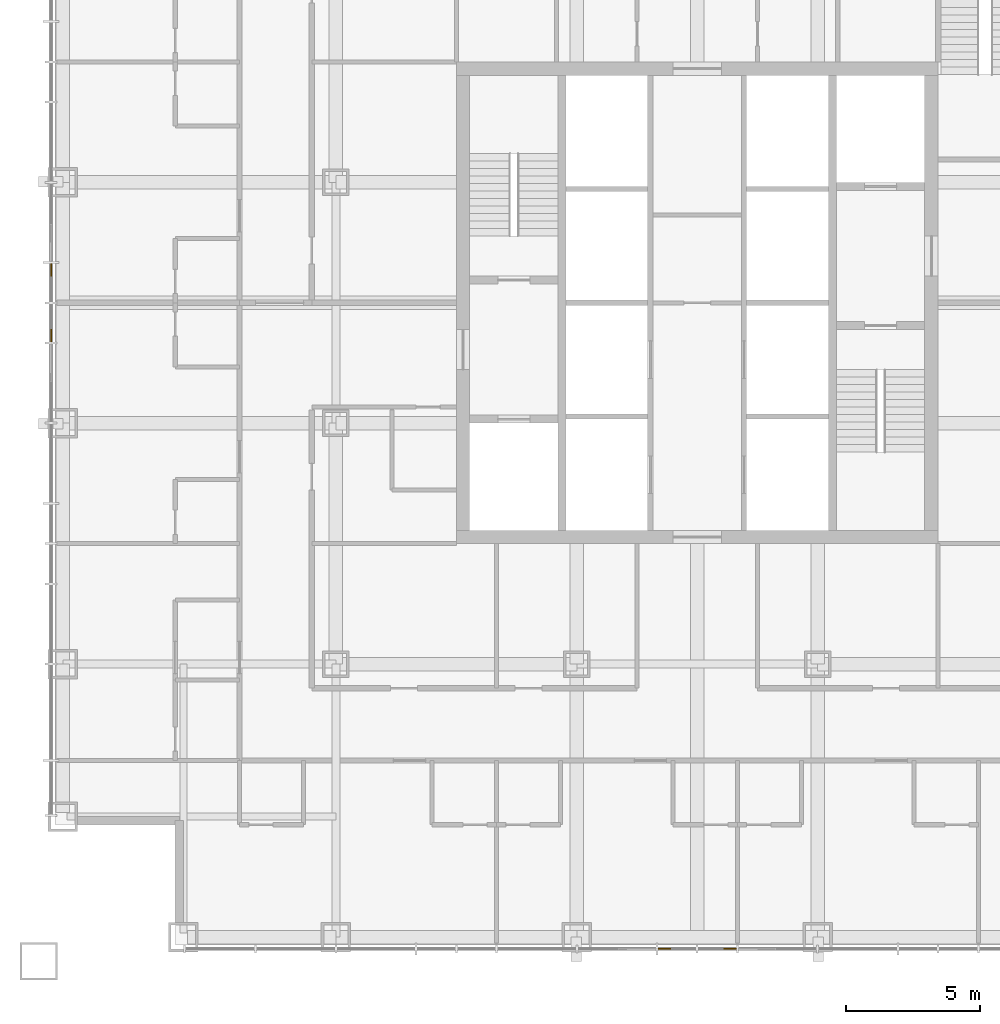
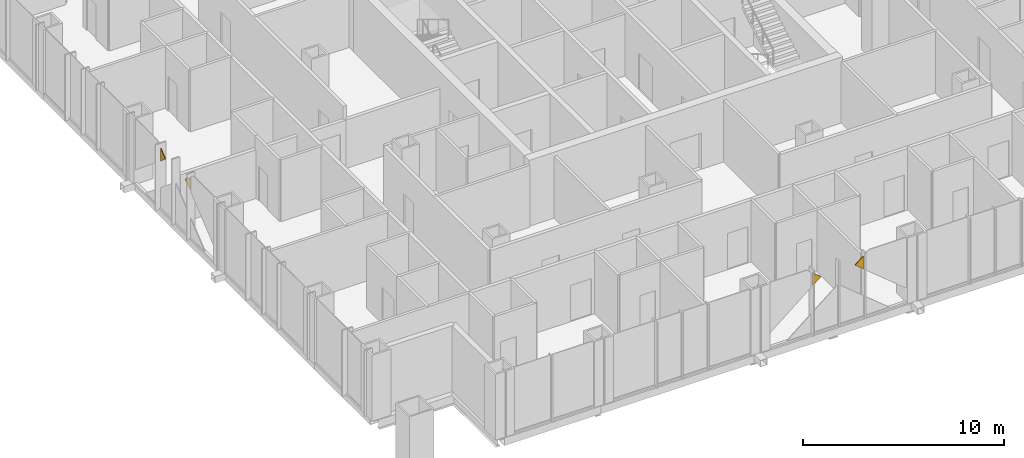
# One storey, part 15 of 16: 4 coverings.
"""IFC4 building model written with IfcOpenShell, lengths in metres."""

from ifc_helpers import new_model, si_unit, direction, frame, origin, place, context, subcontext, project, spatial, polyline, outline, extrude, material, layer, layer_set, type_object, element, save


model = new_model("IFC4")

# Units and contexts
model_context = context("Model", 3, precision=1e-05, world=origin(), true_north=direction((0.0, 1.0)))
body_context = subcontext(model_context, "Body", "Model", "MODEL_VIEW")
ifc_project = project(units=[si_unit("LENGTHUNIT", "METRE"), si_unit("AREAUNIT", "SQUARE_METRE"), si_unit("VOLUMEUNIT", "CUBIC_METRE"), si_unit("PLANEANGLEUNIT", "RADIAN"), si_unit("MASSUNIT", "GRAM", prefix="KILO")], contexts=[model_context])

# Site, building, storey
site_placement = place(None, origin())
site = spatial("IfcSite", under=ifc_project, at=site_placement, CompositionType="ELEMENT")
building_placement = place(site_placement, origin())
building = spatial("IfcBuilding", under=site, at=building_placement, Name="Malebo Sky Hospital", CompositionType="ELEMENT")
storey_placement = place(building_placement, frame((0.0, 0.0, 116.0)))
storey = spatial("IfcBuildingStorey", under=building, at=storey_placement, Name="L27", CompositionType="ELEMENT", Elevation=116.0)

# Coverings
ifc_material = material(Name="Anodised aluminium, natural silver insulated infill panel", Category="aluminium")
ifc_layer = layer(ifc_material, 0.0400390625)
ifc_layer_set = layer_set([ifc_layer], Name="BRACE INFILL PANEL 40")
covering_type = type_object("IfcCoveringType", Name="BRACE INFILL PANEL 40", PredefinedType="CLADDING", material=ifc_layer_set)
covering_1_placement = place(storey_placement, frame((35.864990234375, 60.777099609375, 2.930419921875), z_axis=(0.0, 0.0, 1.0), x_axis=(0.0, 1.0, 0.0)))
element("IfcCovering", 1, at=covering_1_placement, inside=storey, type_object=covering_type, Name="Brace infill panel 8.1", PredefinedType="CLADDING", context=body_context, shape_type="SweptSolid", body=[
    extrude(outline(polyline([(-0.239501953125, 0.0), (0.239501953125, 0.394775390625), (-0.239501953125, 0.78955078125), (-0.239501953125, 0.0)])), frame((0.0, 0.02001953125, 0.0), z_axis=(0.0, -1.0, 0.0), x_axis=(1.0, 0.0, 0.0)), (0.0, 0.0, 1.0), 0.0400390625),
])
covering_2_placement = place(storey_placement, frame((35.864990234375, 63.222900390625, 2.930419921875), z_axis=(0.0, 0.0, 1.0), x_axis=(0.0, 1.0, 0.0)))
element("IfcCovering", 2, at=covering_2_placement, inside=storey, type_object=covering_type, Name="Brace infill panel 9.1", PredefinedType="CLADDING", context=body_context, shape_type="SweptSolid", body=[
    extrude(outline(polyline([(0.239501953125, 0.0), (0.239501953125, 0.78955078125), (-0.239501953125, 0.394775390625), (0.239501953125, 0.0)])), frame((0.0, 0.02001953125, 0.0), z_axis=(0.0, -1.0, 0.0), x_axis=(1.0, 0.0, 0.0)), (0.0, 0.0, 1.0), 0.0400390625),
])
covering_3_placement = place(storey_placement, frame((61.222900390625, 37.864990234375, 2.930419921875), z_axis=(0.0, 0.0, 1.0), x_axis=(-1.0, 0.0, 0.0)))
element("IfcCovering", 3, at=covering_3_placement, inside=storey, type_object=covering_type, Name="Brace infill panel 8.1", PredefinedType="CLADDING", context=body_context, shape_type="SweptSolid", body=[
    extrude(outline(polyline([(-0.239501953125, 0.0), (0.239501953125, 0.394775390625), (-0.239501953125, 0.78955078125), (-0.239501953125, 0.0)])), frame((0.0, 0.02001953125, 0.0), z_axis=(0.0, -1.0, 0.0), x_axis=(1.0, 0.0, 0.0)), (0.0, 0.0, 1.0), 0.0400390625),
])
covering_4_placement = place(storey_placement, frame((58.777099609375, 37.864990234375, 2.930419921875), z_axis=(0.0, 0.0, 1.0), x_axis=(-1.0, 0.0, 0.0)))
element("IfcCovering", 4, at=covering_4_placement, inside=storey, type_object=covering_type, Name="Brace infill panel 9.1", PredefinedType="CLADDING", context=body_context, shape_type="SweptSolid", body=[
    extrude(outline(polyline([(0.239501953125, 0.0), (0.239501953125, 0.78955078125), (-0.239501953125, 0.394775390625), (0.239501953125, 0.0)])), frame((0.0, 0.02001953125, 0.0), z_axis=(0.0, -1.0, 0.0), x_axis=(1.0, 0.0, 0.0)), (0.0, 0.0, 1.0), 0.0400390625),
])

save(model, "model.ifc")
